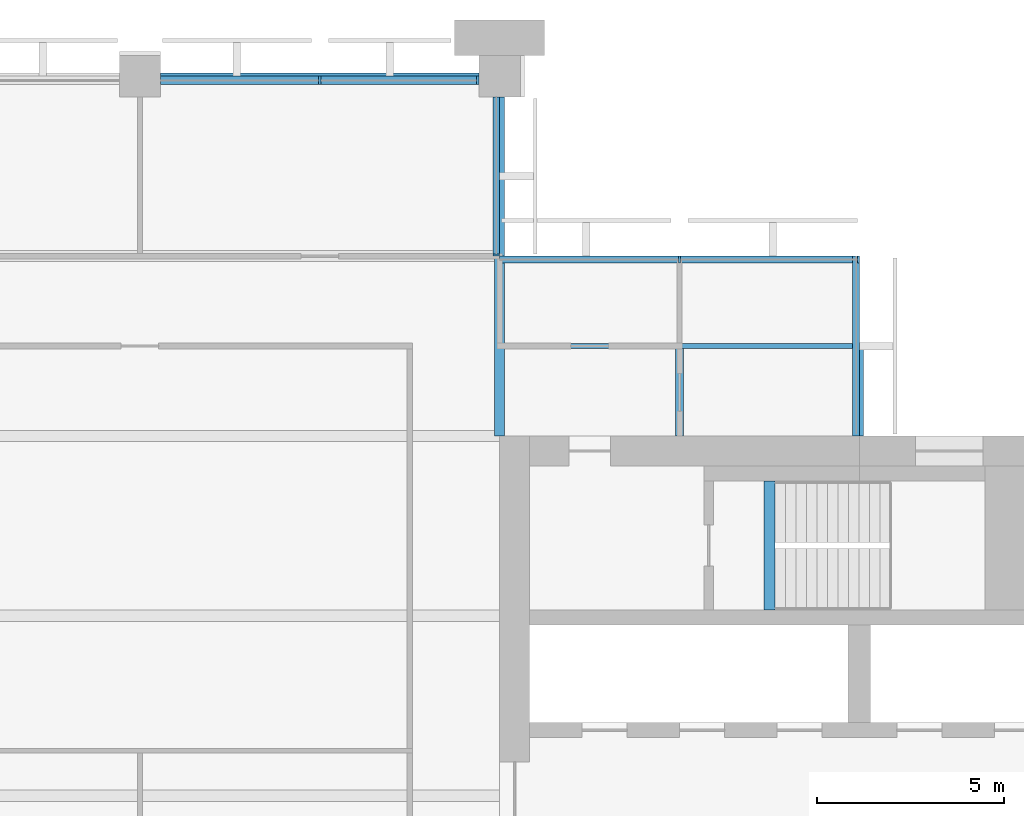
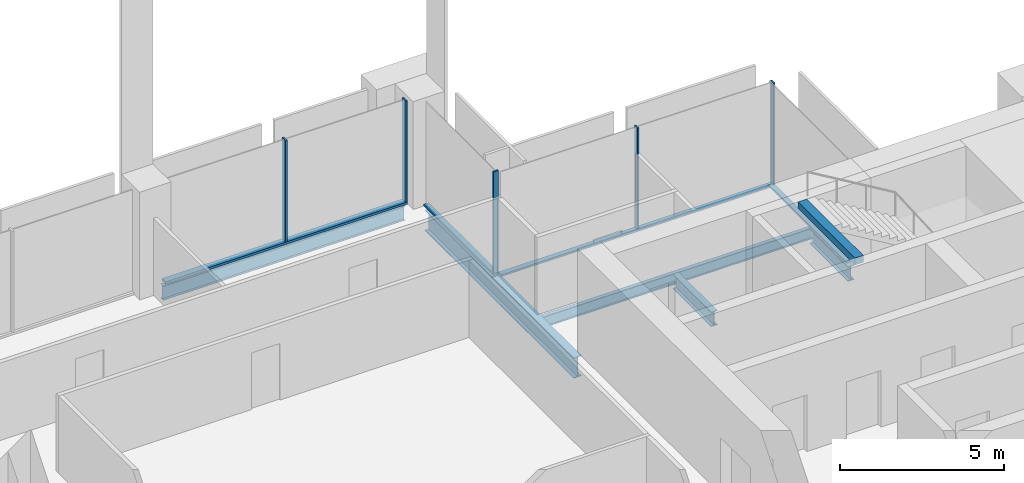
# One storey, part 6 of 13: 9 members, 6 beams, 4 elements without a shape of their own.
"""IFC4 building model written with IfcOpenShell, lengths in metres."""

from ifc_helpers import new_model, si_unit, direction, frame, origin, origin_2d, place, context, subcontext, project, spatial, rectangle, i_section, extrude, material, material_profile, profile_set, type_object, element, aggregate, save


model = new_model("IFC4")

# Units and contexts
model_context = context("Model", 3, precision=1e-05, world=origin(), true_north=direction((0.0, 1.0)))
body_context = subcontext(model_context, "Body", "Model", "MODEL_VIEW")
ifc_project = project(units=[si_unit("LENGTHUNIT", "METRE"), si_unit("AREAUNIT", "SQUARE_METRE"), si_unit("VOLUMEUNIT", "CUBIC_METRE"), si_unit("PLANEANGLEUNIT", "RADIAN"), si_unit("MASSUNIT", "GRAM", prefix="KILO")], contexts=[model_context])

# Site, building, storey
site_placement = place(None, origin())
site = spatial("IfcSite", under=ifc_project, at=site_placement, CompositionType="ELEMENT")
building_placement = place(site_placement, origin())
building = spatial("IfcBuilding", under=site, at=building_placement, Name="Baori Bourse Tower", CompositionType="ELEMENT")
storey_placement = place(building_placement, frame((0.0, 0.0, 237.199951171875)))
storey = spatial("IfcBuildingStorey", under=building, at=storey_placement, Name="L52", CompositionType="ELEMENT", Elevation=237.199951171875)

# Curtain wall, members
ifc_material_1 = material(Name="Pale anodised aluminium", Category="aluminium")
curtain_wall_type_1 = type_object("IfcCurtainWallType", Name="CW2 Curtain wall", PredefinedType="NOTDEFINED", material=ifc_material_1)
curtain_wall_1_placement = place(storey_placement, origin())
curtain_wall_1 = element("IfcCurtainWall", 1, at=curtain_wall_1_placement, inside=storey, type_object=curtain_wall_type_1, Name="Curtain wall CW2 L52 2", PredefinedType="NOTDEFINED")
ifc_material_2 = material(Name="Pale anodised aluminium", Category="aluminium")
ifc_material_profile_1 = material_profile(ifc_material_2, rectangle(XDim=0.179931640625, YDim=0.054931640625, at=origin_2d()), Name="Mullion 55x180")
ifc_profile_set_1 = profile_set([ifc_material_profile_1], Name="Pale anodised aluminium")
member_type_1 = type_object("IfcMemberType", Name="CW2 Curtain wall mullion", PredefinedType="MULLION", material=ifc_profile_set_1)
member_1_placement = place(storey_placement, frame((47.972412109375, 43.110107421875, 0.070068359375), z_axis=(0.0, 0.0, 1.0), x_axis=(0.0, -1.0, 0.0)))
member_1 = element("IfcMember", 2, at=member_1_placement, type_object=member_type_1, Name="Curtain wall CW2 mullion", PredefinedType="MULLION", context=body_context, shape_type="SweptSolid", body=[
    extrude(rectangle(XDim=0.179931640625, YDim=0.054931640625, at=origin_2d()), origin(), (0.0, 0.0, 1.0), 3.77001953125),
])
member_2_placement = place(storey_placement, frame((43.199951171875, 43.110107421875, 0.070068359375), z_axis=(0.0, 0.0, 1.0), x_axis=(0.0, -1.0, 0.0)))
member_2 = element("IfcMember", 3, at=member_2_placement, type_object=member_type_1, Name="Curtain wall CW2 mullion", PredefinedType="MULLION", context=body_context, shape_type="SweptSolid", body=[
    extrude(rectangle(XDim=0.179931640625, YDim=0.054931640625, at=origin_2d()), origin(), (0.0, 0.0, 1.0), 3.77001953125),
])

# Curtain wall, member
curtain_wall_2_placement = place(storey_placement, origin())
curtain_wall_2 = element("IfcCurtainWall", 4, at=curtain_wall_2_placement, inside=storey, type_object=curtain_wall_type_1, Name="Curtain wall CW2 L52 3", PredefinedType="NOTDEFINED")
member_3_placement = place(storey_placement, frame((38.31005859375, 43.2275390625, 0.070068359375), z_axis=(0.0, 0.0, 1.0), x_axis=(-1.0, 0.0, 0.0)))
member_3 = element("IfcMember", 5, at=member_3_placement, type_object=member_type_1, Name="Curtain wall CW2 mullion", PredefinedType="MULLION", context=body_context, shape_type="SweptSolid", body=[
    extrude(rectangle(XDim=0.179931640625, YDim=0.054931640625, at=origin_2d()), origin(), (0.0, 0.0, 1.0), 3.77001953125),
])

curtain_wall_3_placement = place(storey_placement, origin())
curtain_wall_3 = element("IfcCurtainWall", 6, at=curtain_wall_3_placement, inside=storey, type_object=curtain_wall_type_1, Name="Curtain wall CW2 L52 1", PredefinedType="NOTDEFINED")
ifc_material_3 = material(Name="Pale anodised aluminium", Category="aluminium")
ifc_material_profile_2 = material_profile(ifc_material_3, rectangle(XDim=0.179931640625, YDim=0.070068359375, at=origin_2d()), Name="Transom 70x180")
ifc_profile_set_2 = profile_set([ifc_material_profile_2], Name="Pale anodised aluminium")
member_type_2 = type_object("IfcMemberType", Name="CW2 Curtain wall transom", PredefinedType="USERDEFINED", material=ifc_profile_set_2)
member_4_placement = place(storey_placement, frame((47.909912109375, 38.39990234375, 0.03515625), z_axis=(0.0, 1.0, 0.0), x_axis=(-1.0, 0.0, 0.0)))
member_4 = element("IfcMember", 7, at=member_4_placement, type_object=member_type_2, Name="Curtain wall CW2 sill rail", ObjectType="TRANSOM", PredefinedType="USERDEFINED", context=body_context, shape_type="SweptSolid", body=[
    extrude(rectangle(XDim=0.179931640625, YDim=0.070068359375, at=origin_2d()), origin(), (0.0, 0.0, 1.0), 4.800048828125),
])
aggregate(curtain_wall_3, [member_4])

# Member
member_5_placement = place(storey_placement, frame((48.0, 43.110107421875, 0.03515625), z_axis=(-1.0, 0.0, 0.0), x_axis=(0.0, -1.0, 0.0)))
member_5 = element("IfcMember", 8, at=member_5_placement, type_object=member_type_2, Name="Curtain wall CW2 sill rail", ObjectType="TRANSOM", PredefinedType="USERDEFINED", context=body_context, shape_type="SweptSolid", body=[
    extrude(rectangle(XDim=0.179931640625, YDim=0.070068359375, at=origin_2d()), origin(), (0.0, 0.0, 1.0), 9.60009765625),
])

aggregate(curtain_wall_1, [member_5, member_1, member_2])

member_6_placement = place(storey_placement, frame((38.31005859375, 43.199951171875, 0.03515625), z_axis=(0.0, 1.0, 0.0), x_axis=(-1.0, 0.0, 0.0)))
member_6 = element("IfcMember", 9, at=member_6_placement, type_object=member_type_2, Name="Curtain wall CW2 sill rail", ObjectType="TRANSOM", PredefinedType="USERDEFINED", context=body_context, shape_type="SweptSolid", body=[
    extrude(rectangle(XDim=0.179931640625, YDim=0.070068359375, at=origin_2d()), origin(), (0.0, 0.0, 1.0), 4.25),
])

aggregate(curtain_wall_2, [member_6, member_3])

# Curtain wall, members
ifc_material_4 = material(Name="Pale anodised aluminium", Category="aluminium")
curtain_wall_type_2 = type_object("IfcCurtainWallType", Name="CW5 Curtain wall", PredefinedType="NOTDEFINED", material=ifc_material_4)
curtain_wall_4_placement = place(storey_placement, origin())
curtain_wall_4 = element("IfcCurtainWall", 10, at=curtain_wall_4_placement, inside=storey, type_object=curtain_wall_type_2, Name="Curtain wall CW5 L52 4", PredefinedType="NOTDEFINED")
ifc_material_5 = material(Name="Pale anodised aluminium", Category="aluminium")
ifc_material_profile_3 = material_profile(ifc_material_5, rectangle(XDim=0.219970703125, YDim=0.06494140625, at=origin_2d()), Name="Mullion 65x220")
ifc_profile_set_3 = profile_set([ifc_material_profile_3], Name="Pale anodised aluminium")
member_type_3 = type_object("IfcMemberType", Name="CW5 Curtain wall mullion", PredefinedType="MULLION", material=ifc_profile_set_3)
member_7_placement = place(storey_placement, frame((37.8173828125, 47.889892578125, 0.0849609375), z_axis=(0.0, 0.0, 1.0), x_axis=(0.0, -1.0, 0.0)))
member_7 = element("IfcMember", 11, at=member_7_placement, type_object=member_type_3, Name="Curtain wall CW5 mullion", PredefinedType="MULLION", context=body_context, shape_type="SweptSolid", body=[
    extrude(rectangle(XDim=0.219970703125, YDim=0.06494140625, at=origin_2d()), origin(), (0.0, 0.0, 1.0), 3.755126953125),
])
member_8_placement = place(storey_placement, frame((33.60009765625, 47.889892578125, 0.0849609375), z_axis=(0.0, 0.0, 1.0), x_axis=(0.0, -1.0, 0.0)))
member_8 = element("IfcMember", 12, at=member_8_placement, type_object=member_type_3, Name="Curtain wall CW5 mullion", PredefinedType="MULLION", context=body_context, shape_type="SweptSolid", body=[
    extrude(rectangle(XDim=0.219970703125, YDim=0.06494140625, at=origin_2d()), origin(), (0.0, 0.0, 1.0), 3.755126953125),
])
ifc_material_6 = material(Name="Pale anodised aluminium", Category="aluminium")
ifc_material_profile_4 = material_profile(ifc_material_6, rectangle(XDim=0.219970703125, YDim=0.0849609375, at=origin_2d()), Name="Transom 85x220")
ifc_profile_set_4 = profile_set([ifc_material_profile_4], Name="Pale anodised aluminium")
member_type_4 = type_object("IfcMemberType", Name="CW5 Curtain wall transom", PredefinedType="USERDEFINED", material=ifc_profile_set_4)
member_9_placement = place(storey_placement, frame((37.85009765625, 47.889892578125, 0.04248046875), z_axis=(-1.0, 0.0, 0.0), x_axis=(0.0, -1.0, 0.0)))
member_9 = element("IfcMember", 13, at=member_9_placement, type_object=member_type_4, Name="Curtain wall CW5 sill rail", ObjectType="TRANSOM", PredefinedType="USERDEFINED", context=body_context, shape_type="SweptSolid", body=[
    extrude(rectangle(XDim=0.219970703125, YDim=0.0849609375, at=origin_2d()), origin(), (0.0, 0.0, 1.0), 8.5),
])
aggregate(curtain_wall_4, [member_9, member_7, member_8])

# Beams
ifc_material_7 = material(Name="Steel A992 Gr 50", Category="steel")
ifc_material_profile_5 = material_profile(ifc_material_7, i_section(OverallWidth=0.21240234375, OverallDepth=0.54345703125, WebThickness=0.01318359375, FlangeThickness=0.021240234375, at=origin_2d()), Name="W21x83")
ifc_profile_set_5 = profile_set([ifc_material_profile_5], Name="Steel A992 Gr 50")
beam_type_1 = type_object("IfcBeamType", Name="Core bracket W21x83", PredefinedType="BEAM", material=ifc_profile_set_5)
for number, where, z_axis, x_axis, name in (
    (14, (43.199951171875, 38.39990234375, -0.431640625), (0.0, 1.0, 0.0), (-1.0, 0.0, 0.0), "Core bracket L52"),
    (15, (48.0, 38.39990234375, -0.431640625), (0.0, 1.0, 0.0), (-1.0, 0.0, 0.0), "Core bracket L52"),
):
    element("IfcBeam", number, at=place(storey_placement, frame(where, z_axis=z_axis, x_axis=x_axis)), inside=storey, type_object=beam_type_1, Name=name, PredefinedType="BEAM", context=body_context, shape_type="SweptSolid", body=[
        extrude(i_section(OverallWidth=0.21240234375, OverallDepth=0.54345703125, WebThickness=0.01318359375, FlangeThickness=0.021240234375, at=origin_2d()), origin(), (0.0, 0.0, 1.0), 2.329833984375),
    ])
ifc_material_8 = material(Name="Steel A992 Gr 50", Category="steel")
ifc_material_profile_6 = material_profile(ifc_material_8, i_section(OverallWidth=0.1650390625, OverallDepth=0.52587890625, WebThickness=0.0087890625, FlangeThickness=0.011474609375, at=origin_2d()), Name="W21x44")
ifc_profile_set_6 = profile_set([ifc_material_profile_6], Name="Steel A992 Gr 50")
beam_type_2 = type_object("IfcBeamType", Name="Edge beam W21x44", PredefinedType="BEAM", material=ifc_profile_set_6)
beam_1_placement = place(storey_placement, frame((29.35009765625, 48.0, -0.4228515625), z_axis=(1.0, 0.0, 0.0), x_axis=(0.0, 1.0, 0.0)))
element("IfcBeam", 16, at=beam_1_placement, inside=storey, type_object=beam_type_2, Name="Edge beam L52", PredefinedType="BEAM", context=body_context, shape_type="SweptSolid", body=[
    extrude(i_section(OverallWidth=0.1650390625, OverallDepth=0.52587890625, WebThickness=0.0087890625, FlangeThickness=0.011474609375, at=origin_2d()), origin(), (0.0, 0.0, 1.0), 8.5),
])
ifc_material_9 = material(Name="Steel A992 Gr 50", Category="steel")
ifc_material_profile_7 = material_profile(ifc_material_9, i_section(OverallWidth=0.2666015625, OverallDepth=0.76953125, WebThickness=0.015625, FlangeThickness=0.025390625, at=origin_2d()), Name="W30x132")
ifc_profile_set_7 = profile_set([ifc_material_profile_7], Name="Steel A992 Gr 50")
beam_type_3 = type_object("IfcBeamType", Name="Girder W30x132", PredefinedType="BEAM", material=ifc_profile_set_7)
beam_2_placement = place(storey_placement, frame((38.39990234375, 38.39990234375, -0.544677734375), z_axis=(0.0, 1.0, 0.0), x_axis=(-1.0, 0.0, 0.0)))
element("IfcBeam", 17, at=beam_2_placement, inside=storey, type_object=beam_type_3, Name="Girder L52", PredefinedType="BEAM", context=body_context, shape_type="SweptSolid", body=[
    extrude(i_section(OverallWidth=0.2666015625, OverallDepth=0.76953125, WebThickness=0.015625, FlangeThickness=0.025390625, at=origin_2d()), origin(), (0.0, 0.0, 1.0), 9.050048828125),
])
ifc_material_10 = material(Name="Concrete f'c 50 MPa", Category="concrete")
ifc_material_profile_8 = material_profile(ifc_material_10, rectangle(XDim=0.300048828125, YDim=0.25, at=origin_2d()), Name="RC 300x250")
ifc_profile_set_8 = profile_set([ifc_material_profile_8], Name="Concrete f'c 50 MPa")
beam_type_4 = type_object("IfcBeamType", Name="Stair nib beam RC 300x250", PredefinedType="BEAM", material=ifc_profile_set_8)
beam_3_placement = place(storey_placement, frame((45.60009765625, 33.75, 3.715087890625), z_axis=(0.0, 1.0, 0.0), x_axis=(-1.0, 0.0, 0.0)))
element("IfcBeam", 18, at=beam_3_placement, inside=storey, type_object=beam_type_4, Name="Stair EB nib beam L53", PredefinedType="BEAM", context=body_context, shape_type="SweptSolid", body=[
    extrude(rectangle(XDim=0.300048828125, YDim=0.25, at=origin_2d()), origin(), (0.0, 0.0, 1.0), 3.449951171875),
])
ifc_material_11 = material(Name="Steel A992 Gr 50", Category="steel")
ifc_material_profile_9 = material_profile(ifc_material_11, i_section(OverallWidth=0.140380859375, OverallDepth=0.40380859375, WebThickness=0.007080078125, FlangeThickness=0.01123046875, at=origin_2d()), Name="W16x31")
ifc_profile_set_9 = profile_set([ifc_material_profile_9], Name="Steel A992 Gr 50")
beam_type_5 = type_object("IfcBeamType", Name="Trimmer beam W16x31", PredefinedType="BEAM", material=ifc_profile_set_9)
beam_4_placement = place(storey_placement, frame((38.533447265625, 40.800048828125, -0.36181640625), z_axis=(1.0, 0.0, 0.0), x_axis=(0.0, 1.0, 0.0)))
element("IfcBeam", 19, at=beam_4_placement, inside=storey, type_object=beam_type_5, Name="Trimmer beam L52", PredefinedType="BEAM", context=body_context, shape_type="SweptSolid", body=[
    extrude(i_section(OverallWidth=0.140380859375, OverallDepth=0.40380859375, WebThickness=0.007080078125, FlangeThickness=0.01123046875, at=origin_2d()), origin(), (0.0, 0.0, 1.0), 9.466552734375),
])

save(model, "model.ifc")
